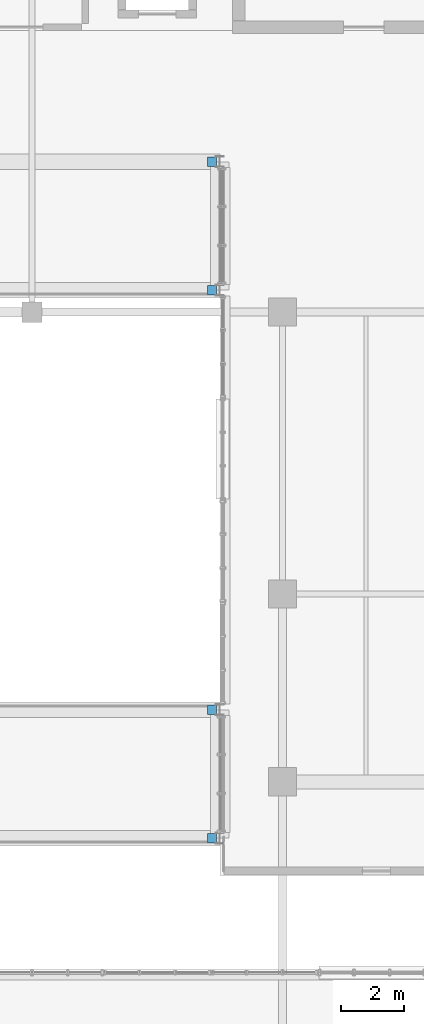
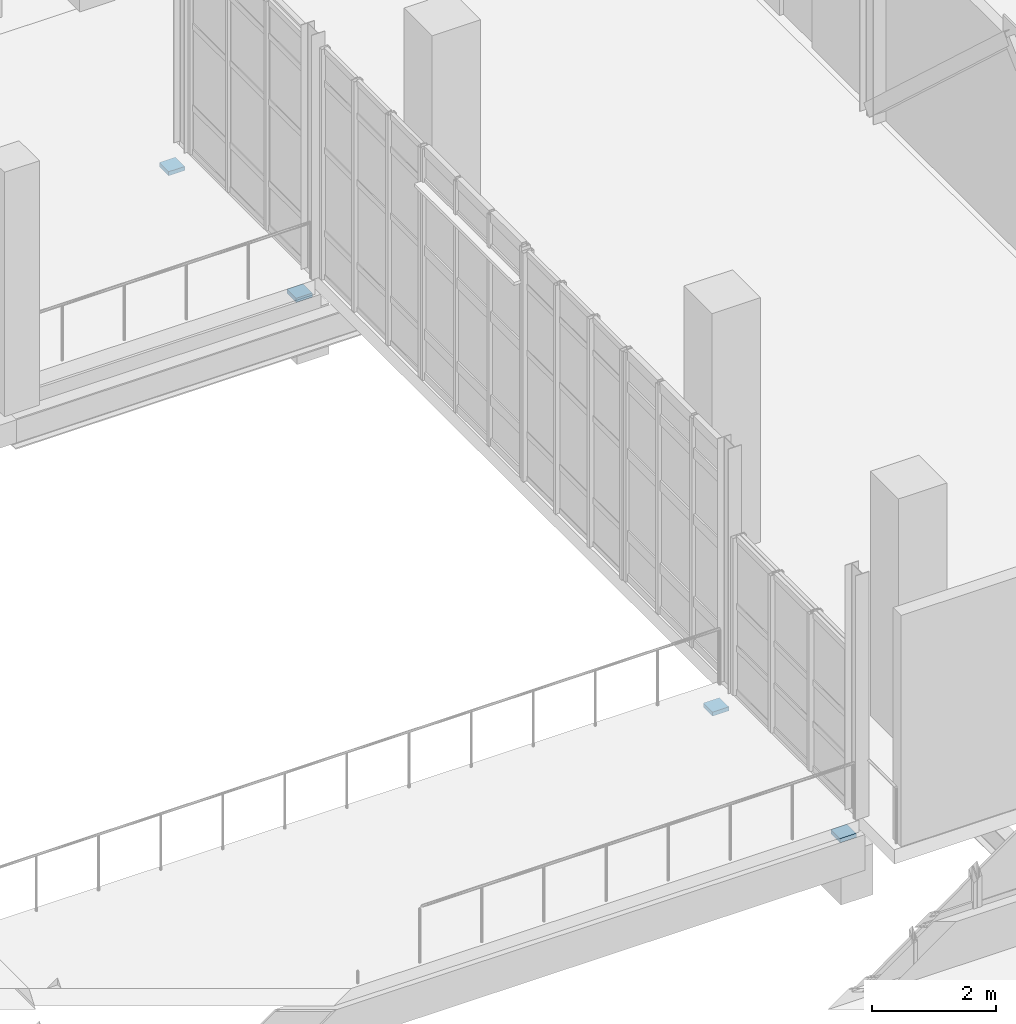
# One storey, part 120 of 127: 4 discrete accessories.
"""IFC4 building model written with IfcOpenShell, lengths in metres."""

from ifc_helpers import new_model, si_unit, derived_unit, direction, frame, origin, origin_2d, place, context, subcontext, project, spatial, rectangle, extrude, material, type_object, element, save


model = new_model("IFC4")

# Units and contexts
model_context = context("Model", 3, precision=1e-05, world=origin(), true_north=direction((0.0, 1.0)))
body_context = subcontext(model_context, "Body", "Model", "MODEL_VIEW")
ifc_project = project(units=[si_unit("LENGTHUNIT", "METRE"), si_unit("AREAUNIT", "SQUARE_METRE"), si_unit("VOLUMEUNIT", "CUBIC_METRE"), si_unit("PLANEANGLEUNIT", "RADIAN"), si_unit("MASSUNIT", "GRAM", prefix="KILO"), derived_unit("THERMALTRANSMITTANCEUNIT", [(si_unit("POWERUNIT", "WATT"), 1), (si_unit("LENGTHUNIT", "METRE"), -2), (si_unit("THERMODYNAMICTEMPERATUREUNIT", "KELVIN"), -1)])], contexts=[model_context])

# Site, building, storey
site_placement = place(None, origin())
site = spatial("IfcSite", under=ifc_project, at=site_placement, CompositionType="ELEMENT")
building_placement = place(site_placement, origin())
building = spatial("IfcBuilding", under=site, at=building_placement, Name="Nallur Shell Playhouse", CompositionType="ELEMENT")
storey_placement = place(building_placement, frame((0.0, 0.0, 5.39990234375)))
storey = spatial("IfcBuildingStorey", under=building, at=storey_placement, Name="L02", CompositionType="ELEMENT", Elevation=5.39990234375)

# Discrete accessories
ifc_material = material(Name="Elastomeric PTFE Bearing Assembly")
discrete_accessory_type = type_object("IfcDiscreteAccessoryType", Name="AC-BEARING-PTFE", PredefinedType="USERDEFINED", material=ifc_material)
for number, where, z_axis, x_axis, name in (
    (1, (53.75, 48.199951171875, -0.35986328125), (0.0, 0.0, 1.0), (1.0, 0.0, 0.0), "Courtyard bridge unguided PTFE sliding bearing BRG-01-01"),
    (2, (53.75, 52.300048828125, -0.35986328125), (0.0, 0.0, 1.0), (1.0, 0.0, 0.0), "Courtyard bridge unguided PTFE sliding bearing BRG-01-02"),
    (3, (53.75, 65.699951171875, -0.35986328125), (0.0, 0.0, 1.0), (1.0, 0.0, 0.0), "Courtyard bridge unguided PTFE sliding bearing BRG-01-03"),
    (4, (53.75, 69.800048828125, -0.35986328125), (0.0, 0.0, 1.0), (1.0, 0.0, 0.0), "Courtyard bridge unguided PTFE sliding bearing BRG-01-04"),
):
    element("IfcDiscreteAccessory", number, at=place(storey_placement, frame(where, z_axis=z_axis, x_axis=x_axis)), inside=storey, type_object=discrete_accessory_type, Name=name, ObjectType="SLIDING BEARING", PredefinedType="USERDEFINED", context=body_context, shape_type="SweptSolid", body=[
        extrude(rectangle(XDim=0.300048828125, YDim=0.300048828125, at=origin_2d()), origin(), (0.0, 0.0, 1.0), 0.080078125),
    ])

save(model, "model.ifc")
